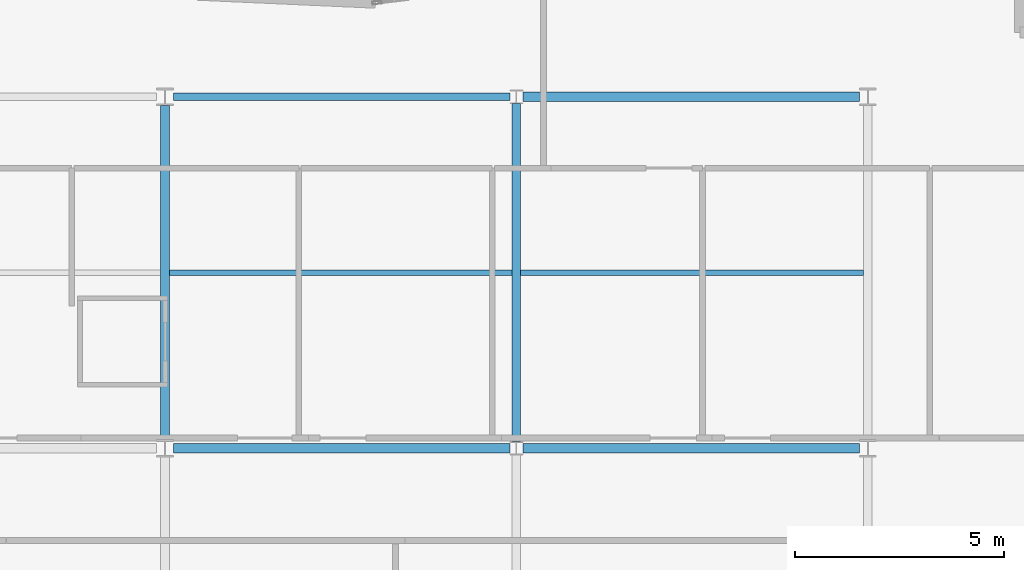
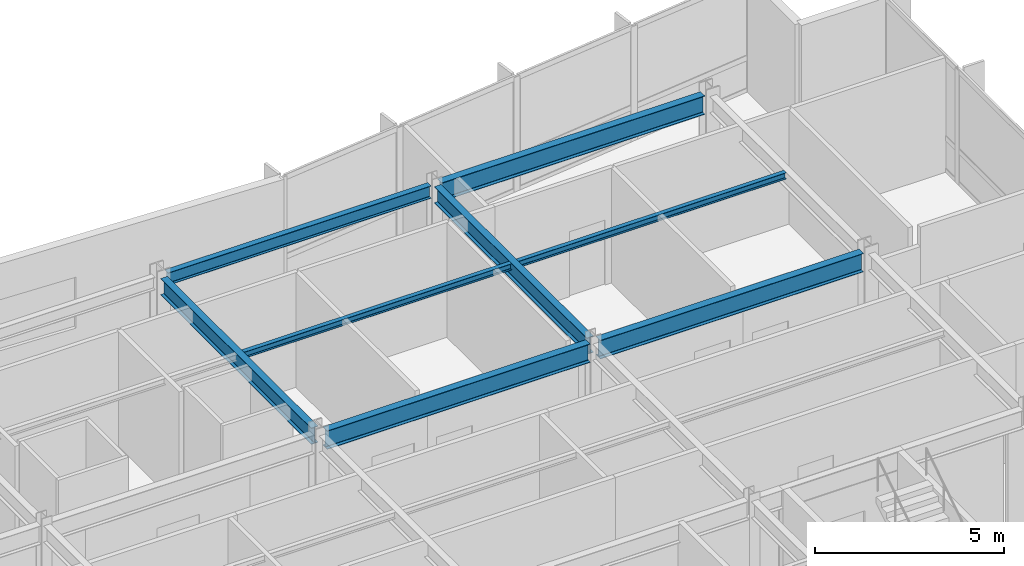
# One storey, part 6 of 19: 8 beams.
"""IFC4 building model written with IfcOpenShell, lengths in metres."""

from ifc_helpers import new_model, si_unit, direction, frame, origin, origin_2d, place, context, subcontext, project, spatial, i_section, extrude, material, material_profile, profile_set, type_object, element, save


model = new_model("IFC4")

# Units and contexts
model_context = context("Model", 3, precision=1e-05, world=origin(), true_north=direction((0.0, 1.0)))
body_context = subcontext(model_context, "Body", "Model", "MODEL_VIEW")
ifc_project = project(units=[si_unit("LENGTHUNIT", "METRE"), si_unit("AREAUNIT", "SQUARE_METRE"), si_unit("VOLUMEUNIT", "CUBIC_METRE"), si_unit("PLANEANGLEUNIT", "RADIAN"), si_unit("MASSUNIT", "GRAM", prefix="KILO")], contexts=[model_context])

# Site, building, storey
site_placement = place(None, origin())
site = spatial("IfcSite", under=ifc_project, at=site_placement, CompositionType="ELEMENT")
building_placement = place(site_placement, origin())
building = spatial("IfcBuilding", under=site, at=building_placement, Name="Varnakote Quay Hospital", CompositionType="ELEMENT")
storey_placement = place(building_placement, frame((0.0, 0.0, 115.199951171875)))
storey = spatial("IfcBuildingStorey", under=building, at=storey_placement, Name="L28", CompositionType="ELEMENT", Elevation=115.199951171875)

# Beams
ifc_material_1 = material(Name="Structural steel AS/NZS 3679.1 Grade 350 L0 (fy 340 MPa)", Category="steel")
ifc_material_profile_1 = material_profile(ifc_material_1, i_section(OverallWidth=0.208984375, OverallDepth=0.532958984375, WebThickness=0.01025390625, FlangeThickness=0.015625, FilletRadius=0.013916015625, at=origin_2d()), Name="530UB92.4")
ifc_profile_set_1 = profile_set([ifc_material_profile_1], Name="Structural steel AS/NZS 3679.1 Grade 350 L0 (fy 340 MPa)")
beam_type_1 = type_object("IfcBeamType", Name="BM-STL-530UB92-4", PredefinedType="BEAM", material=ifc_profile_set_1)
beam_1_placement = place(storey_placement, frame((33.60009765625, 20.610107421875, 3.443603515625), z_axis=(0.0, 1.0, 0.0), x_axis=(-1.0, 0.0, 0.0)))
element("IfcBeam", 1, at=beam_1_placement, inside=storey, type_object=beam_type_1, Name="L28 Primary Tie Beam", PredefinedType="BEAM", context=body_context, shape_type="SweptSolid", body=[
    extrude(i_section(OverallWidth=0.208984375, OverallDepth=0.532958984375, WebThickness=0.01025390625, FlangeThickness=0.015625, FilletRadius=0.013916015625, at=origin_2d()), origin(), (0.0, 0.0, 1.0), 7.97998046875),
])
beam_2_placement = place(storey_placement, frame((42.0, 20.560546875, 3.443603515625), z_axis=(0.0, 1.0, 0.0), x_axis=(-1.0, 0.0, 0.0)))
element("IfcBeam", 2, at=beam_2_placement, inside=storey, type_object=beam_type_1, Name="L28 Primary Tie Beam", PredefinedType="BEAM", context=body_context, shape_type="SweptSolid", body=[
    extrude(i_section(OverallWidth=0.208984375, OverallDepth=0.532958984375, WebThickness=0.01025390625, FlangeThickness=0.015625, FilletRadius=0.013916015625, at=origin_2d()), origin(), (0.0, 0.0, 1.0), 8.078857421875),
])
ifc_material_2 = material(Name="Structural steel AS/NZS 3679.1 Grade 350 L0 (fy 340 MPa)", Category="steel")
ifc_material_profile_2 = material_profile(ifc_material_2, i_section(OverallWidth=0.22802734375, OverallDepth=0.60205078125, WebThickness=0.010498046875, FlangeThickness=0.014892578125, FilletRadius=0.013916015625, at=origin_2d()), Name="610UB101")
ifc_profile_set_2 = profile_set([ifc_material_profile_2], Name="Structural steel AS/NZS 3679.1 Grade 350 L0 (fy 340 MPa)")
beam_type_2 = type_object("IfcBeamType", Name="BM-STL-610UB101", PredefinedType="BEAM", material=ifc_profile_set_2)
for number, where, z_axis, x_axis, name in (
    (3, (33.800048828125, 20.39990234375, 3.408935546875), (1.0, 0.0, 0.0), (0.0, 1.0, 0.0), "L28 Primary Floor Beam"),
    (4, (42.154541015625, 20.39990234375, 3.408935546875), (1.0, 0.0, 0.0), (0.0, 1.0, 0.0), "L28 Primary Floor Beam"),
    (5, (42.154541015625, 28.800048828125, 3.408935546875), (1.0, 0.0, 0.0), (0.0, 1.0, 0.0), "L28 Primary Floor Beam"),
):
    element("IfcBeam", number, at=place(storey_placement, frame(where, z_axis=z_axis, x_axis=x_axis)), inside=storey, type_object=beam_type_2, Name=name, PredefinedType="BEAM", context=body_context, shape_type="SweptSolid", body=[
        extrude(i_section(OverallWidth=0.22802734375, OverallDepth=0.60205078125, WebThickness=0.010498046875, FlangeThickness=0.014892578125, FilletRadius=0.013916015625, at=origin_2d()), origin(), (0.0, 0.0, 1.0), 8.04541015625),
    ])
ifc_material_3 = material(Name="Structural steel AS/NZS 3679.1 Grade 350 L0 (fy 340 MPa)", Category="steel")
ifc_material_profile_3 = material_profile(ifc_material_3, i_section(OverallWidth=0.134033203125, OverallDepth=0.20703125, WebThickness=0.00634765625, FlangeThickness=0.009521484375, FilletRadius=0.0087890625, at=origin_2d()), Name="200UB29.8")
ifc_profile_set_3 = profile_set([ifc_material_profile_3], Name="Structural steel AS/NZS 3679.1 Grade 350 L0 (fy 340 MPa)")
beam_type_3 = type_object("IfcBeamType", Name="JST-STL-200UB29-8", PredefinedType="JOIST", material=ifc_profile_set_3)
for number, where, z_axis, x_axis, name in (
    (6, (33.70458984375, 24.60009765625, 3.6064453125), (1.0, 0.0, 0.0), (0.0, 1.0, 0.0), "L28 Composite Floor Joist"),
    (7, (42.1044921875, 24.60009765625, 3.6064453125), (1.0, 0.0, 0.0), (0.0, 1.0, 0.0), "L28 Composite Floor Joist"),
):
    element("IfcBeam", number, at=place(storey_placement, frame(where, z_axis=z_axis, x_axis=x_axis)), inside=storey, type_object=beam_type_3, Name=name, PredefinedType="JOIST", context=body_context, shape_type="SweptSolid", body=[
        extrude(i_section(OverallWidth=0.134033203125, OverallDepth=0.20703125, WebThickness=0.00634765625, FlangeThickness=0.009521484375, FilletRadius=0.0087890625, at=origin_2d()), origin(), (0.0, 0.0, 1.0), 8.19091796875),
    ])
ifc_material_4 = material(Name="Structural steel AS/NZS 3679.1 Grade 350 L0 (fy 340 MPa)", Category="steel")
ifc_material_profile_4 = material_profile(ifc_material_4, i_section(OverallWidth=0.177978515625, OverallDepth=0.406005859375, WebThickness=0.0078125, FlangeThickness=0.0126953125, FilletRadius=0.011474609375, at=origin_2d()), Name="410UB59.7")
ifc_profile_set_4 = profile_set([ifc_material_profile_4], Name="Structural steel AS/NZS 3679.1 Grade 350 L0 (fy 340 MPa)")
beam_type_4 = type_object("IfcBeamType", Name="SPN-STL-410UB59-7", PredefinedType="SPANDREL", material=ifc_profile_set_4)
beam_3_placement = place(storey_placement, frame((33.800048828125, 28.800048828125, 3.507080078125), z_axis=(1.0, 0.0, 0.0), x_axis=(0.0, 1.0, 0.0)))
element("IfcBeam", 8, at=beam_3_placement, inside=storey, type_object=beam_type_4, Name="L28 Perimeter Spandrel Beam", PredefinedType="SPANDREL", context=body_context, shape_type="SweptSolid", body=[
    extrude(i_section(OverallWidth=0.177978515625, OverallDepth=0.406005859375, WebThickness=0.0078125, FlangeThickness=0.0126953125, FilletRadius=0.011474609375, at=origin_2d()), origin(), (0.0, 0.0, 1.0), 8.04541015625),
])

save(model, "model.ifc")
